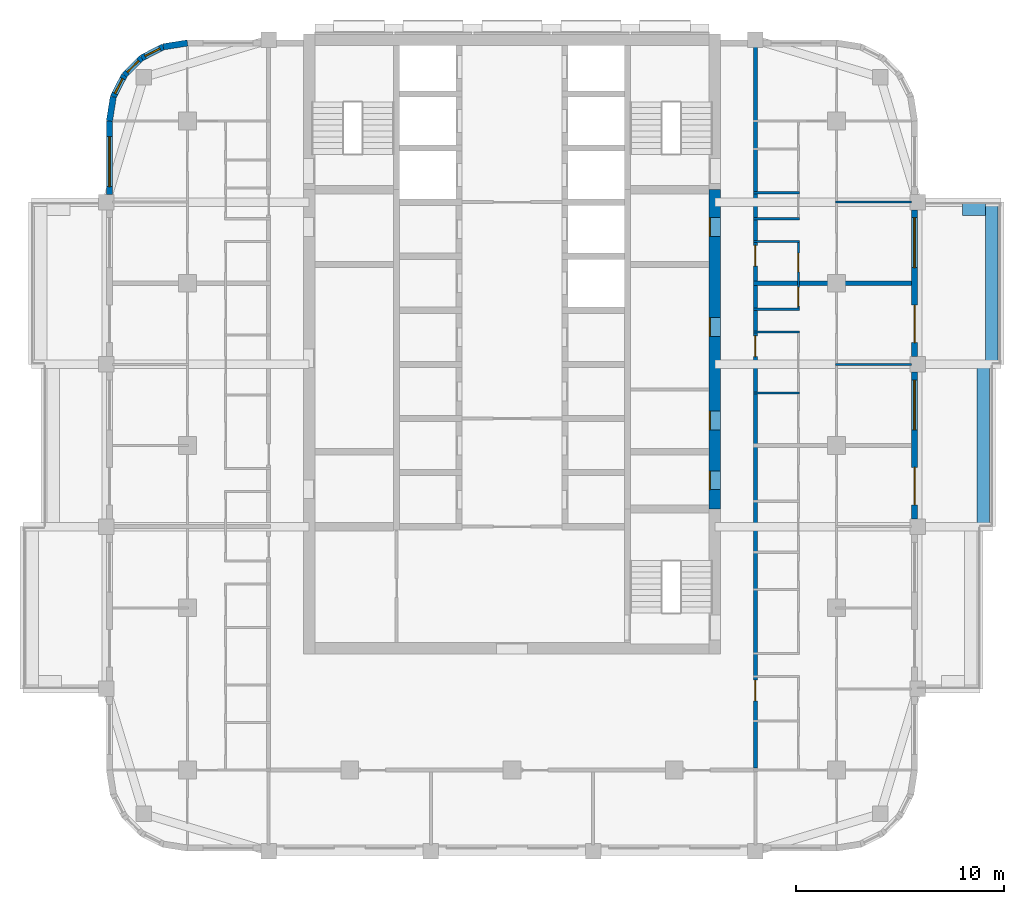
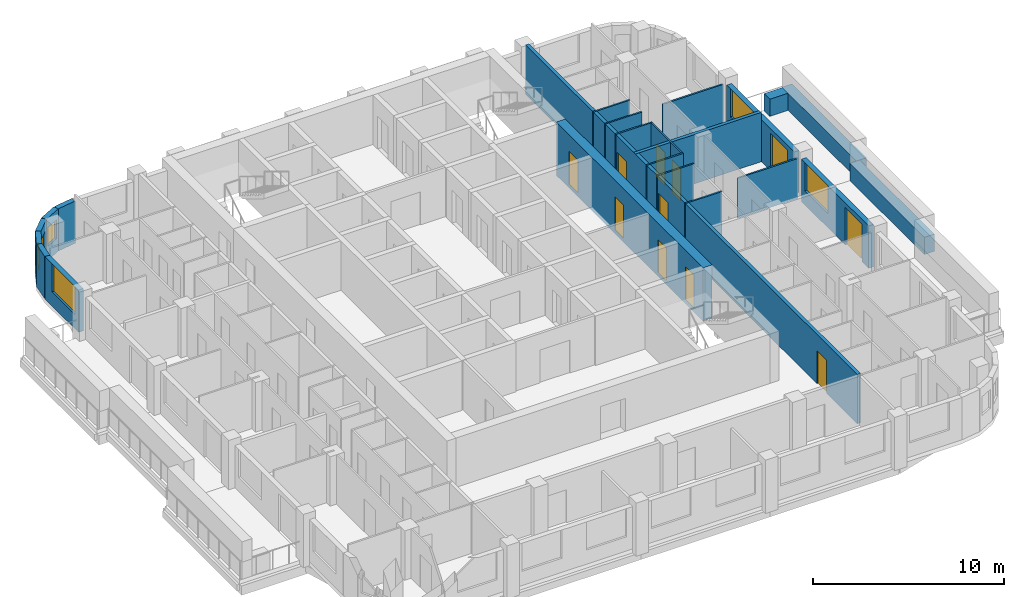
# One storey, part 7 of 13: 23 walls, 11 doors, 6 windows, 17 openings.
"""IFC4 building model written with IfcOpenShell, lengths in metres."""

from ifc_helpers import new_model, si_unit, direction, frame, frame_2d, origin, place, context, subcontext, project, spatial, rectangle, extrude, material, layer, layer_set, type_object, element, fill, save


model = new_model("IFC4")

# Units and contexts
model_context = context("Model", 3, precision=1e-05, world=origin(), true_north=direction((0.0, 1.0)))
body_context = subcontext(model_context, "Body", "Model", "MODEL_VIEW")
ifc_project = project(units=[si_unit("LENGTHUNIT", "METRE"), si_unit("AREAUNIT", "SQUARE_METRE"), si_unit("VOLUMEUNIT", "CUBIC_METRE"), si_unit("PLANEANGLEUNIT", "RADIAN"), si_unit("MASSUNIT", "GRAM", prefix="KILO")], contexts=[model_context])

# Site, building, storey
site_placement = place(None, origin())
site = spatial("IfcSite", under=ifc_project, at=site_placement, CompositionType="ELEMENT")
building_placement = place(site_placement, origin())
building = spatial("IfcBuilding", under=site, at=building_placement, Name="Ludao Terraces", CompositionType="ELEMENT")
storey_placement = place(building_placement, frame((0.0, 0.0, 155.39990234375)))
storey = spatial("IfcBuildingStorey", under=building, at=storey_placement, Name="L42", CompositionType="ELEMENT", Elevation=155.39990234375)

# Wall, openings, doors
ifc_material_1 = material(Name="Concrete C60", Category="concrete")
ifc_layer_1 = layer(ifc_material_1, 0.550048828125)
ifc_layer_set_1 = layer_set([ifc_layer_1], Name="Core wall 550 C60")
wall_type_1 = type_object("IfcWallType", Name="Core wall 550 C60", PredefinedType="SOLIDWALL", material=ifc_layer_set_1)
wall_1_placement = place(storey_placement, frame((94.75, 61.949951171875, -0.25), z_axis=(0.0, 0.0, 1.0), x_axis=(0.0, 1.0, 0.0)))
wall_1 = element("IfcWall", 1, at=wall_1_placement, inside=storey, type_object=wall_type_1, Name="Core wall L42 outer-E", PredefinedType="SOLIDWALL", context=body_context, shape_type="SweptSolid", body=[
    extrude(rectangle(XDim=15.35009765625, YDim=0.550048828125, at=frame_2d((7.675048828125, 0.0))), origin(), (0.0, 0.0, 1.0), 3.400146484375),
])
opening_1_placement = place(wall_1_placement, frame((0.925048828125, 0.0, 0.25)))
opening_1 = element("IfcOpeningElement", 2, at=opening_1_placement, cuts=wall_1, Name="Opening R14-036", PredefinedType="OPENING", context=body_context, shape_type="SweptSolid", body=[
    extrude(rectangle(XDim=0.89990234375, YDim=2.10009765625, at=frame_2d((0.449951171875, 1.050048828125))), frame((0.0, 0.28515625, 0.0), z_axis=(0.0, -1.0, 0.0), x_axis=(1.0, 0.0, 0.0)), (0.0, 0.0, 1.0), 0.570068359375),
])
opening_2_placement = place(wall_1_placement, frame((3.800048828125, 0.0, 0.25)))
opening_2 = element("IfcOpeningElement", 3, at=opening_2_placement, cuts=wall_1, Name="Opening R14-042", PredefinedType="OPENING", context=body_context, shape_type="SweptSolid", body=[
    extrude(rectangle(XDim=0.89990234375, YDim=2.10009765625, at=frame_2d((0.449951171875, 1.050048828125))), frame((0.0, 0.28515625, 0.0), z_axis=(0.0, -1.0, 0.0), x_axis=(1.0, 0.0, 0.0)), (0.0, 0.0, 1.0), 0.570068359375),
])
opening_3_placement = place(wall_1_placement, frame((8.300048828125, 0.0, 0.25)))
opening_3 = element("IfcOpeningElement", 4, at=opening_3_placement, cuts=wall_1, Name="Opening R14-055", PredefinedType="OPENING", context=body_context, shape_type="SweptSolid", body=[
    extrude(rectangle(XDim=0.89990234375, YDim=2.10009765625, at=frame_2d((0.449951171875, 1.050048828125))), frame((0.0, 0.28515625, 0.0), z_axis=(0.0, -1.0, 0.0), x_axis=(1.0, 0.0, 0.0)), (0.0, 0.0, 1.0), 0.570068359375),
])
opening_4_placement = place(wall_1_placement, frame((13.10009765625, 0.0, 0.25)))
opening_4 = element("IfcOpeningElement", 5, at=opening_4_placement, cuts=wall_1, Name="Opening R14-070", PredefinedType="OPENING", context=body_context, shape_type="SweptSolid", body=[
    extrude(rectangle(XDim=0.89990234375, YDim=2.10009765625, at=frame_2d((0.449951171875, 1.050048828125))), frame((0.0, 0.28515625, 0.0), z_axis=(0.0, -1.0, 0.0), x_axis=(1.0, 0.0, 0.0)), (0.0, 0.0, 1.0), 0.570068359375),
])
ifc_material_2 = material(Name="Steel Q235", Category="steel")
door_type_1 = type_object("IfcDoorType", Name="INT Riser door 900", OperationType="SINGLE_SWING_LEFT", PredefinedType="DOOR", material=ifc_material_2)
door_1_placement = place(opening_1_placement, origin())
door_1 = element("IfcDoor", 6, at=door_1_placement, inside=storey, type_object=door_type_1, Name="DOOR 036", OperationType="SINGLE_SWING_LEFT", OverallHeight=2.10009765625, OverallWidth=0.89990234375, PredefinedType="DOOR", context=body_context, shape_type="SweptSolid", body=[
    extrude(rectangle(XDim=0.89990234375, YDim=2.10009765625, at=frame_2d((0.449951171875, 1.050048828125))), frame((0.0, 0.26025390625, 0.0), z_axis=(0.0, -1.0, 0.0), x_axis=(1.0, 0.0, 0.0)), (0.0, 0.0, 1.0), 0.050048828125),
])
fill(opening_1, door_1)
door_2_placement = place(opening_4_placement, origin())
door_2 = element("IfcDoor", 7, at=door_2_placement, inside=storey, type_object=door_type_1, Name="DOOR 070", OperationType="SINGLE_SWING_RIGHT", OverallHeight=2.10009765625, OverallWidth=0.89990234375, PredefinedType="DOOR", context=body_context, shape_type="SweptSolid", body=[
    extrude(rectangle(XDim=0.89990234375, YDim=2.10009765625, at=frame_2d((0.449951171875, 1.050048828125))), frame((0.0, 0.26025390625, 0.0), z_axis=(0.0, -1.0, 0.0), x_axis=(1.0, 0.0, 0.0)), (0.0, 0.0, 1.0), 0.050048828125),
])
fill(opening_4, door_2)
ifc_material_3 = material(Name="Timber door leaf", Category="wood")
door_type_2 = type_object("IfcDoorType", Name="INT Room door 900", OperationType="SINGLE_SWING_LEFT", PredefinedType="DOOR", material=ifc_material_3)
door_3_placement = place(opening_2_placement, origin())
door_3 = element("IfcDoor", 8, at=door_3_placement, inside=storey, type_object=door_type_2, Name="DOOR 042", OperationType="SINGLE_SWING_LEFT", OverallHeight=2.10009765625, OverallWidth=0.89990234375, PredefinedType="DOOR", context=body_context, shape_type="SweptSolid", body=[
    extrude(rectangle(XDim=0.89990234375, YDim=2.10009765625, at=frame_2d((0.449951171875, 1.050048828125))), frame((0.0, 0.26025390625, 0.0), z_axis=(0.0, -1.0, 0.0), x_axis=(1.0, 0.0, 0.0)), (0.0, 0.0, 1.0), 0.050048828125),
])
fill(opening_2, door_3)
door_4_placement = place(opening_3_placement, origin())
door_4 = element("IfcDoor", 9, at=door_4_placement, inside=storey, type_object=door_type_2, Name="DOOR 055", OperationType="SINGLE_SWING_RIGHT", OverallHeight=2.10009765625, OverallWidth=0.89990234375, PredefinedType="DOOR", context=body_context, shape_type="SweptSolid", body=[
    extrude(rectangle(XDim=0.89990234375, YDim=2.10009765625, at=frame_2d((0.449951171875, 1.050048828125))), frame((0.0, 0.26025390625, 0.0), z_axis=(0.0, -1.0, 0.0), x_axis=(1.0, 0.0, 0.0)), (0.0, 0.0, 1.0), 0.050048828125),
])
fill(opening_3, door_4)

# Walls
ifc_material_4 = material(Name="Concrete C40", Category="concrete")
ifc_layer_2 = layer(ifc_material_4, 0.60009765625)
ifc_layer_set_2 = layer_set([ifc_layer_2], Name="ENV Planter trough 600")
wall_type_2 = type_object("IfcWallType", Name="ENV Planter trough 600", PredefinedType="USERDEFINED", material=ifc_layer_set_2)
wall_2_placement = place(storey_placement, frame((107.64990234375, 61.10009765625, 0.0), z_axis=(0.0, 0.0, 1.0), x_axis=(0.0, 1.0, 0.0)))
element("IfcWall", 10, at=wall_2_placement, inside=storey, type_object=wall_type_2, Name="PL-L42-E2", ObjectType="PLANTER", PredefinedType="USERDEFINED", context=body_context, shape_type="SweptSolid", body=[
    extrude(rectangle(XDim=7.7998046875, YDim=0.60009765625, at=frame_2d((3.89990234375, 0.0))), origin(), (0.0, 0.0, 1.0), 1.10009765625),
])
wall_3_placement = place(storey_placement, frame((108.050048828125, 68.89990234375, 0.0), z_axis=(0.0, 0.0, 1.0), x_axis=(0.0, 1.0, 0.0)))
element("IfcWall", 11, at=wall_3_placement, inside=storey, type_object=wall_type_2, Name="PL-L42-E3", ObjectType="PLANTER", PredefinedType="USERDEFINED", context=body_context, shape_type="SweptSolid", body=[
    extrude(rectangle(XDim=7.800048828125, YDim=0.60009765625, at=frame_2d((3.89990234375, 0.0))), origin(), (0.0, 0.0, 1.0), 1.10009765625),
])
wall_4_placement = place(storey_placement, frame((107.75, 76.35009765625, 0.0), z_axis=(0.0, 0.0, 1.0), x_axis=(-1.0, 0.0, 0.0)))
element("IfcWall", 12, at=wall_4_placement, inside=storey, type_object=wall_type_2, Name="PL-L42-E3-SB", ObjectType="PLANTER", PredefinedType="USERDEFINED", context=body_context, shape_type="SweptSolid", body=[
    extrude(rectangle(XDim=1.10009765625, YDim=0.60009765625, at=frame_2d((0.550048828125, 0.0))), origin(), (0.0, 0.0, 1.0), 1.10009765625),
])

# Wall, openings, door, window
ifc_material_5 = material(Name="Granite cladding", Category="masonry")
ifc_layer_3 = layer(ifc_material_5, 0.0400390625, Category="stone")
ifc_material_6 = material(Name="Mineral wool")
ifc_layer_4 = layer(ifc_material_6, 0.06005859375)
ifc_layer_5 = layer(ifc_material_4, 0.199951171875, Category="concrete")
ifc_layer_set_3 = layer_set([ifc_layer_3, ifc_layer_4, ifc_layer_5], Name="ENV Stone-clad wall 300")
wall_type_3 = type_object("IfcWallType", Name="ENV Stone-clad wall 300", PredefinedType="SOLIDWALL", material=ifc_layer_set_3)
wall_5_placement = place(storey_placement, frame((104.35009765625, 61.47509765625, 0.0), z_axis=(0.0, 0.0, 1.0), x_axis=(0.0, 1.0, 0.0)))
wall_5 = element("IfcWall", 13, at=wall_5_placement, inside=storey, type_object=wall_type_3, Name="EW-L42-E3", PredefinedType="SOLIDWALL", context=body_context, shape_type="SweptSolid", body=[
    extrude(rectangle(XDim=7.0498046875, YDim=0.300048828125, at=frame_2d((3.52490234375, 0.0))), origin(), (0.0, 0.0, 1.0), 2.7001953125),
])
opening_5_placement = place(wall_5_placement, frame((0.675048828125, 0.0, 0.0)))
opening_5 = element("IfcOpeningElement", 14, at=opening_5_placement, cuts=wall_5, Name="Opening BD", PredefinedType="OPENING", context=body_context, shape_type="SweptSolid", body=[
    extrude(rectangle(XDim=1.800048828125, YDim=2.39990234375, at=frame_2d((0.89990234375, 1.199951171875))), frame((0.0, 0.16015625, 0.0), z_axis=(0.0, -1.0, 0.0), x_axis=(1.0, 0.0, 0.0)), (0.0, 0.0, 1.0), 0.320068359375),
])
opening_6_placement = place(wall_5_placement, frame((4.27490234375, 0.0, 0.89990234375)))
opening_6 = element("IfcOpeningElement", 15, at=opening_6_placement, cuts=wall_5, Name="Opening W1", PredefinedType="OPENING", context=body_context, shape_type="SweptSolid", body=[
    extrude(rectangle(XDim=2.39990234375, YDim=1.800048828125, at=frame_2d((1.199951171875, 0.89990234375))), frame((0.0, 0.16015625, 0.0), z_axis=(0.0, -1.0, 0.0), x_axis=(1.0, 0.0, 0.0)), (0.0, 0.0, 1.0), 0.320068359375),
])
ifc_material_7 = material(Name="Aluminium glazed door", Category="aluminium")
ifc_layer_6 = layer(ifc_material_7, 0.06005859375)
ifc_layer_set_4 = layer_set([ifc_layer_6], Name="ENV Balcony door BD 1800x2400")
door_type_3 = type_object("IfcDoorType", Name="ENV Balcony door BD 1800x2400", OperationType="DOUBLE_DOOR_SINGLE_SWING", PredefinedType="DOOR", material=ifc_layer_set_4)
door_5_placement = place(opening_5_placement, origin())
door_5 = element("IfcDoor", 16, at=door_5_placement, inside=storey, type_object=door_type_3, Name="BD-L42-E3-1", OperationType="DOUBLE_DOOR_SINGLE_SWING", OverallHeight=2.39990234375, OverallWidth=1.800048828125, PredefinedType="DOOR", context=body_context, shape_type="SweptSolid", body=[
    extrude(rectangle(XDim=1.800048828125, YDim=2.39990234375, at=frame_2d((0.89990234375, 1.199951171875))), frame((0.0, 0.02490234375, 0.0), z_axis=(0.0, -1.0, 0.0), x_axis=(1.0, 0.0, 0.0)), (0.0, 0.0, 1.0), 0.050048828125),
])
fill(opening_5, door_5)
ifc_material_8 = material(Name="Clear glass in aluminium frame", Category="aluminium")
ifc_layer_7 = layer(ifc_material_8, 0.06005859375)
ifc_layer_set_5 = layer_set([ifc_layer_7], Name="ENV Window W1 2400x1800")
window_type_1 = type_object("IfcWindowType", Name="ENV Window W1 2400x1800", PartitioningType="DOUBLE_PANEL_VERTICAL", PredefinedType="WINDOW", material=ifc_layer_set_5)
window_1_placement = place(opening_6_placement, origin())
window_1 = element("IfcWindow", 17, at=window_1_placement, inside=storey, type_object=window_type_1, Name="W-L42-E3-2", OverallHeight=1.800048828125, OverallWidth=2.39990234375, PartitioningType="DOUBLE_PANEL_VERTICAL", PredefinedType="WINDOW", context=body_context, shape_type="SweptSolid", body=[
    extrude(rectangle(XDim=2.39990234375, YDim=1.800048828125, at=frame_2d((1.199951171875, 0.89990234375))), frame((0.0, 0.030029296875, 0.0), z_axis=(0.0, -1.0, 0.0), x_axis=(1.0, 0.0, 0.0)), (0.0, 0.0, 1.0), 0.06005859375),
])
fill(opening_6, window_1)

wall_6_placement = place(storey_placement, frame((104.35009765625, 69.27490234375, 0.0), z_axis=(0.0, 0.0, 1.0), x_axis=(0.0, 1.0, 0.0)))
wall_6 = element("IfcWall", 18, at=wall_6_placement, inside=storey, type_object=wall_type_3, Name="EW-L42-E4", PredefinedType="SOLIDWALL", context=body_context, shape_type="SweptSolid", body=[
    extrude(rectangle(XDim=7.050048828125, YDim=0.300048828125, at=frame_2d((3.52490234375, 0.0))), origin(), (0.0, 0.0, 1.0), 2.7001953125),
])
opening_7_placement = place(wall_6_placement, frame((0.675048828125, 0.0, 0.0)))
opening_7 = element("IfcOpeningElement", 19, at=opening_7_placement, cuts=wall_6, Name="Opening BD", PredefinedType="OPENING", context=body_context, shape_type="SweptSolid", body=[
    extrude(rectangle(XDim=1.800048828125, YDim=2.39990234375, at=frame_2d((0.89990234375, 1.199951171875))), frame((0.0, 0.16015625, 0.0), z_axis=(0.0, -1.0, 0.0), x_axis=(1.0, 0.0, 0.0)), (0.0, 0.0, 1.0), 0.320068359375),
])
opening_8_placement = place(wall_6_placement, frame((4.27490234375, 0.0, 0.89990234375)))
opening_8 = element("IfcOpeningElement", 20, at=opening_8_placement, cuts=wall_6, Name="Opening W1", PredefinedType="OPENING", context=body_context, shape_type="SweptSolid", body=[
    extrude(rectangle(XDim=2.39990234375, YDim=1.800048828125, at=frame_2d((1.199951171875, 0.89990234375))), frame((0.0, 0.16015625, 0.0), z_axis=(0.0, -1.0, 0.0), x_axis=(1.0, 0.0, 0.0)), (0.0, 0.0, 1.0), 0.320068359375),
])
door_6_placement = place(opening_7_placement, origin())
door_6 = element("IfcDoor", 21, at=door_6_placement, inside=storey, type_object=door_type_3, Name="BD-L42-E4-1", OperationType="DOUBLE_DOOR_SINGLE_SWING", OverallHeight=2.39990234375, OverallWidth=1.800048828125, PredefinedType="DOOR", context=body_context, shape_type="SweptSolid", body=[
    extrude(rectangle(XDim=1.800048828125, YDim=2.39990234375, at=frame_2d((0.89990234375, 1.199951171875))), frame((0.0, 0.02490234375, 0.0), z_axis=(0.0, -1.0, 0.0), x_axis=(1.0, 0.0, 0.0)), (0.0, 0.0, 1.0), 0.050048828125),
])
fill(opening_7, door_6)
window_2_placement = place(opening_8_placement, origin())
window_2 = element("IfcWindow", 22, at=window_2_placement, inside=storey, type_object=window_type_1, Name="W-L42-E4-2", OverallHeight=1.800048828125, OverallWidth=2.39990234375, PartitioningType="DOUBLE_PANEL_VERTICAL", PredefinedType="WINDOW", context=body_context, shape_type="SweptSolid", body=[
    extrude(rectangle(XDim=2.39990234375, YDim=1.800048828125, at=frame_2d((1.199951171875, 0.89990234375))), frame((0.0, 0.030029296875, 0.0), z_axis=(0.0, -1.0, 0.0), x_axis=(1.0, 0.0, 0.0)), (0.0, 0.0, 1.0), 0.06005859375),
])
fill(opening_8, window_2)

# Wall, opening, window
wall_7_placement = place(storey_placement, frame((65.64990234375, 77.074951171875, 0.0), z_axis=(0.0, 0.0, 1.0), x_axis=(0.0, 1.0, 0.0)))
wall_7 = element("IfcWall", 23, at=wall_7_placement, inside=storey, type_object=wall_type_3, Name="EW-L42-W5", PredefinedType="SOLIDWALL", context=body_context, shape_type="SweptSolid", body=[
    extrude(rectangle(XDim=3.525146484375, YDim=0.300048828125, at=frame_2d((1.7626953125, 0.0))), origin(), (0.0, 0.0, 1.0), 2.7001953125),
])
opening_9_placement = place(wall_7_placement, frame((0.375, 0.0, 0.89990234375)))
opening_9 = element("IfcOpeningElement", 24, at=opening_9_placement, cuts=wall_7, Name="Opening W1", PredefinedType="OPENING", context=body_context, shape_type="SweptSolid", body=[
    extrude(rectangle(XDim=2.39990234375, YDim=1.800048828125, at=frame_2d((1.199951171875, 0.89990234375))), frame((0.0, 0.16015625, 0.0), z_axis=(0.0, -1.0, 0.0), x_axis=(1.0, 0.0, 0.0)), (0.0, 0.0, 1.0), 0.320068359375),
])
window_3_placement = place(opening_9_placement, origin())
window_3 = element("IfcWindow", 25, at=window_3_placement, inside=storey, type_object=window_type_1, Name="W-L42-W5-1", OverallHeight=1.800048828125, OverallWidth=2.39990234375, PartitioningType="DOUBLE_PANEL_VERTICAL", PredefinedType="WINDOW", context=body_context, shape_type="SweptSolid", body=[
    extrude(rectangle(XDim=2.39990234375, YDim=1.800048828125, at=frame_2d((1.199951171875, 0.89990234375))), frame((0.0, 0.030029296875, 0.0), z_axis=(0.0, -1.0, 0.0), x_axis=(1.0, 0.0, 0.0)), (0.0, 0.0, 1.0), 0.06005859375),
])
fill(opening_9, window_3)

# Wall
wall_8_placement = place(storey_placement, frame((69.39990234375, 84.35009765625, 0.0), z_axis=(0.0, 0.0, 1.0), x_axis=(-0.987678452879, -0.156496880861, 0.0)))
element("IfcWall", 26, at=wall_8_placement, inside=storey, type_object=wall_type_3, Name="EW-L42-NW1", PredefinedType="SOLIDWALL", context=body_context, shape_type="SweptSolid", body=[
    extrude(rectangle(XDim=1.173095703125, YDim=0.300048828125, at=frame_2d((0.58642578125, 0.0))), origin(), (0.0, 0.0, 1.0), 2.7001953125),
])

# Wall, opening, window
wall_9_placement = place(storey_placement, frame((68.2412109375, 84.16650390625, 0.0), z_axis=(0.0, 0.0, 1.0), x_axis=(-0.890988677504, -0.454025524128, 0.0)))
wall_9 = element("IfcWall", 27, at=wall_9_placement, inside=storey, type_object=wall_type_3, Name="EW-L42-NW2", PredefinedType="SOLIDWALL", context=body_context, shape_type="SweptSolid", body=[
    extrude(rectangle(XDim=1.17333984375, YDim=0.300048828125, at=frame_2d((0.586669921875, 0.0))), origin(), (0.0, 0.0, 1.0), 2.7001953125),
])
opening_10_placement = place(wall_9_placement, frame((0.1865234375, 0.0, 0.89990234375)))
opening_10 = element("IfcOpeningElement", 28, at=opening_10_placement, cuts=wall_9, Name="Opening W3", PredefinedType="OPENING", context=body_context, shape_type="SweptSolid", body=[
    extrude(rectangle(XDim=0.800048828125, YDim=1.199951171875, at=frame_2d((0.39990234375, 0.60009765625))), frame((0.0, 0.16015625, 0.0), z_axis=(0.0, -1.0, 0.0), x_axis=(1.0, 0.0, 0.0)), (0.0, 0.0, 1.0), 0.320068359375),
])
ifc_layer_8 = layer(ifc_material_8, 0.06005859375)
ifc_layer_set_6 = layer_set([ifc_layer_8], Name="ENV Window W3 800x1200")
window_type_2 = type_object("IfcWindowType", Name="ENV Window W3 800x1200", PartitioningType="SINGLE_PANEL", PredefinedType="WINDOW", material=ifc_layer_set_6)
window_4_placement = place(opening_10_placement, origin())
window_4 = element("IfcWindow", 29, at=window_4_placement, inside=storey, type_object=window_type_2, Name="W-L42-NW2", OverallHeight=1.199951171875, OverallWidth=0.800048828125, PartitioningType="SINGLE_PANEL", PredefinedType="WINDOW", context=body_context, shape_type="SweptSolid", body=[
    extrude(rectangle(XDim=0.800048828125, YDim=1.199951171875, at=frame_2d((0.39990234375, 0.60009765625))), frame((0.0, 0.030029296875, 0.0), z_axis=(0.0, -1.0, 0.0), x_axis=(1.0, 0.0, 0.0)), (0.0, 0.0, 1.0), 0.06005859375),
])
fill(opening_10, window_4)

wall_10_placement = place(storey_placement, frame((67.19580078125, 83.6337890625, 0.0), z_axis=(0.0, 0.0, 1.0), x_axis=(-0.707106781187, -0.707106781187, 0.0)))
wall_10 = element("IfcWall", 30, at=wall_10_placement, inside=storey, type_object=wall_type_3, Name="EW-L42-NW3", PredefinedType="SOLIDWALL", context=body_context, shape_type="SweptSolid", body=[
    extrude(rectangle(XDim=1.173095703125, YDim=0.300048828125, at=frame_2d((0.58642578125, 0.0))), origin(), (0.0, 0.0, 1.0), 2.7001953125),
])
opening_11_placement = place(wall_10_placement, frame((0.1865234375, 0.0, 0.89990234375)))
opening_11 = element("IfcOpeningElement", 31, at=opening_11_placement, cuts=wall_10, Name="Opening W3", PredefinedType="OPENING", context=body_context, shape_type="SweptSolid", body=[
    extrude(rectangle(XDim=0.800048828125, YDim=1.199951171875, at=frame_2d((0.39990234375, 0.60009765625))), frame((0.0, 0.16015625, 0.0), z_axis=(0.0, -1.0, 0.0), x_axis=(1.0, 0.0, 0.0)), (0.0, 0.0, 1.0), 0.320068359375),
])
window_5_placement = place(opening_11_placement, origin())
window_5 = element("IfcWindow", 32, at=window_5_placement, inside=storey, type_object=window_type_2, Name="W-L42-NW3", OverallHeight=1.199951171875, OverallWidth=0.800048828125, PartitioningType="SINGLE_PANEL", PredefinedType="WINDOW", context=body_context, shape_type="SweptSolid", body=[
    extrude(rectangle(XDim=0.800048828125, YDim=1.199951171875, at=frame_2d((0.39990234375, 0.60009765625))), frame((0.0, 0.030029296875, 0.0), z_axis=(0.0, -1.0, 0.0), x_axis=(1.0, 0.0, 0.0)), (0.0, 0.0, 1.0), 0.06005859375),
])
fill(opening_11, window_5)

wall_11_placement = place(storey_placement, frame((66.3662109375, 82.80419921875, 0.0), z_axis=(0.0, 0.0, 1.0), x_axis=(-0.454025524128, -0.890988677504, 0.0)))
wall_11 = element("IfcWall", 33, at=wall_11_placement, inside=storey, type_object=wall_type_3, Name="EW-L42-NW4", PredefinedType="SOLIDWALL", context=body_context, shape_type="SweptSolid", body=[
    extrude(rectangle(XDim=1.17333984375, YDim=0.300048828125, at=frame_2d((0.586669921875, 0.0))), origin(), (0.0, 0.0, 1.0), 2.7001953125),
])
opening_12_placement = place(wall_11_placement, frame((0.1865234375, 0.0, 0.89990234375)))
opening_12 = element("IfcOpeningElement", 34, at=opening_12_placement, cuts=wall_11, Name="Opening W3", PredefinedType="OPENING", context=body_context, shape_type="SweptSolid", body=[
    extrude(rectangle(XDim=0.800048828125, YDim=1.199951171875, at=frame_2d((0.39990234375, 0.60009765625))), frame((0.0, 0.16015625, 0.0), z_axis=(0.0, -1.0, 0.0), x_axis=(1.0, 0.0, 0.0)), (0.0, 0.0, 1.0), 0.320068359375),
])
window_6_placement = place(opening_12_placement, origin())
window_6 = element("IfcWindow", 35, at=window_6_placement, inside=storey, type_object=window_type_2, Name="W-L42-NW4", OverallHeight=1.199951171875, OverallWidth=0.800048828125, PartitioningType="SINGLE_PANEL", PredefinedType="WINDOW", context=body_context, shape_type="SweptSolid", body=[
    extrude(rectangle(XDim=0.800048828125, YDim=1.199951171875, at=frame_2d((0.39990234375, 0.60009765625))), frame((0.0, 0.030029296875, 0.0), z_axis=(0.0, -1.0, 0.0), x_axis=(1.0, 0.0, 0.0)), (0.0, 0.0, 1.0), 0.06005859375),
])
fill(opening_12, window_6)

# Wall
wall_12_placement = place(storey_placement, frame((65.83349609375, 81.7587890625, 0.0), z_axis=(0.0, 0.0, 1.0), x_axis=(-0.156496880861, -0.987678452879, 0.0)))
element("IfcWall", 36, at=wall_12_placement, inside=storey, type_object=wall_type_3, Name="EW-L42-NW5", PredefinedType="SOLIDWALL", context=body_context, shape_type="SweptSolid", body=[
    extrude(rectangle(XDim=1.173095703125, YDim=0.300048828125, at=frame_2d((0.58642578125, 0.0))), origin(), (0.0, 0.0, 1.0), 2.7001953125),
])

# Wall, openings, doors
ifc_material_9 = material(Name="Autoclaved aerated concrete block B06 A3.5", Category="concrete")
ifc_layer_9 = layer(ifc_material_9, 0.199951171875)
ifc_layer_set_7 = layer_set([ifc_layer_9], Name="INT Entrance wall 200")
wall_type_4 = type_object("IfcWallType", Name="INT Entrance wall 200", PredefinedType="PARTITIONING", material=ifc_layer_set_7)
wall_13_placement = place(storey_placement, frame((96.699951171875, 49.5, 0.0), z_axis=(0.0, 0.0, 1.0), x_axis=(0.0, 1.0, 0.0)))
wall_13 = element("IfcWall", 37, at=wall_13_placement, inside=storey, type_object=wall_type_4, Name="PW-L42-PW059", PredefinedType="PARTITIONING", context=body_context, shape_type="SweptSolid", body=[
    extrude(rectangle(XDim=34.7001953125, YDim=0.199951171875, at=frame_2d((17.35009765625, 0.0))), origin(), (0.0, 0.0, 1.0), 3.150146484375),
])
opening_13_placement = place(wall_13_placement, frame((3.22509765625, 0.0, 0.0)))
opening_13 = element("IfcOpeningElement", 38, at=opening_13_placement, cuts=wall_13, Name="Opening R14-013", PredefinedType="OPENING", context=body_context, shape_type="SweptSolid", body=[
    extrude(rectangle(XDim=1.0, YDim=2.10009765625, at=frame_2d((0.5, 1.050048828125))), frame((0.0, 0.10986328125, 0.0), z_axis=(0.0, -1.0, 0.0), x_axis=(1.0, 0.0, 0.0)), (0.0, 0.0, 1.0), 0.219970703125),
])
opening_14_placement = place(wall_13_placement, frame((19.775146484375, 0.0, 0.0)))
opening_14 = element("IfcOpeningElement", 39, at=opening_14_placement, cuts=wall_13, Name="Opening R14-052", PredefinedType="OPENING", context=body_context, shape_type="SweptSolid", body=[
    extrude(rectangle(XDim=1.0, YDim=2.10009765625, at=frame_2d((0.5, 1.050048828125))), frame((0.0, 0.10986328125, 0.0), z_axis=(0.0, -1.0, 0.0), x_axis=(1.0, 0.0, 0.0)), (0.0, 0.0, 1.0), 0.219970703125),
])
opening_15_placement = place(wall_13_placement, frame((24.125, 0.0, 0.0)))
opening_15 = element("IfcOpeningElement", 40, at=opening_15_placement, cuts=wall_13, Name="Opening R14-064", PredefinedType="OPENING", context=body_context, shape_type="SweptSolid", body=[
    extrude(rectangle(XDim=1.0, YDim=2.10009765625, at=frame_2d((0.5, 1.050048828125))), frame((0.0, 0.10986328125, 0.0), z_axis=(0.0, -1.0, 0.0), x_axis=(1.0, 0.0, 0.0)), (0.0, 0.0, 1.0), 0.219970703125),
])
door_type_4 = type_object("IfcDoorType", Name="INT Flat entrance door 1000", OperationType="SINGLE_SWING_LEFT", PredefinedType="DOOR", material=ifc_material_2)
door_7_placement = place(opening_13_placement, origin())
door_7 = element("IfcDoor", 41, at=door_7_placement, inside=storey, type_object=door_type_4, Name="DOOR 013", OperationType="SINGLE_SWING_RIGHT", OverallHeight=2.10009765625, OverallWidth=1.0, PredefinedType="DOOR", context=body_context, shape_type="SweptSolid", body=[
    extrude(rectangle(XDim=1.0, YDim=2.10009765625, at=frame_2d((0.5, 1.050048828125))), frame((0.0, 0.02490234375, 0.0), z_axis=(0.0, -1.0, 0.0), x_axis=(1.0, 0.0, 0.0)), (0.0, 0.0, 1.0), 0.050048828125),
])
fill(opening_13, door_7)
door_8_placement = place(opening_14_placement, origin())
door_8 = element("IfcDoor", 42, at=door_8_placement, inside=storey, type_object=door_type_4, Name="DOOR 052", OperationType="SINGLE_SWING_RIGHT", OverallHeight=2.10009765625, OverallWidth=1.0, PredefinedType="DOOR", context=body_context, shape_type="SweptSolid", body=[
    extrude(rectangle(XDim=1.0, YDim=2.10009765625, at=frame_2d((0.5, 1.050048828125))), frame((0.0, 0.02490234375, 0.0), z_axis=(0.0, -1.0, 0.0), x_axis=(1.0, 0.0, 0.0)), (0.0, 0.0, 1.0), 0.050048828125),
])
fill(opening_14, door_8)
door_9_placement = place(opening_15_placement, origin())
door_9 = element("IfcDoor", 43, at=door_9_placement, inside=storey, type_object=door_type_4, Name="DOOR 064", OperationType="SINGLE_SWING_RIGHT", OverallHeight=2.10009765625, OverallWidth=1.0, PredefinedType="DOOR", context=body_context, shape_type="SweptSolid", body=[
    extrude(rectangle(XDim=1.0, YDim=2.10009765625, at=frame_2d((0.5, 1.050048828125))), frame((0.0, 0.02490234375, 0.0), z_axis=(0.0, -1.0, 0.0), x_axis=(1.0, 0.0, 0.0)), (0.0, 0.0, 1.0), 0.050048828125),
])
fill(opening_15, door_9)

# Walls
ifc_material_10 = material(Name="Gypsum plasterboard", Category="gypsum")
ifc_layer_10 = layer(ifc_material_10, 0.012451171875, Category="gypsum")
ifc_layer_11 = layer(ifc_material_6, 0.06005859375, Name="insulation")
ifc_layer_12 = layer(ifc_material_2, 0.014892578125, Name="stud")
ifc_layer_13 = layer(ifc_material_10, 0.012451171875, Category="gypsum")
ifc_layer_set_8 = layer_set([ifc_layer_10, ifc_layer_11, ifc_layer_12, ifc_layer_13], Name="INT Partition 100")
wall_type_5 = type_object("IfcWallType", Name="INT Partition 100", PredefinedType="PARTITIONING", material=ifc_layer_set_8)
wall_14_placement = place(storey_placement, frame((96.60009765625, 67.530029296875, 0.0), z_axis=(0.0, 0.0, 1.0), x_axis=(1.0, 0.0, 0.0)))
element("IfcWall", 44, at=wall_14_placement, inside=storey, type_object=wall_type_5, Name="PW-L42-PW026", PredefinedType="PARTITIONING", context=body_context, shape_type="SweptSolid", body=[
    extrude(rectangle(XDim=2.219970703125, YDim=0.10009765625, at=frame_2d((1.10986328125, 0.0))), origin(), (0.0, 0.0, 1.0), 3.150146484375),
])
wall_15_placement = place(storey_placement, frame((100.550048828125, 68.89990234375, 0.0), z_axis=(0.0, 0.0, 1.0), x_axis=(1.0, 0.0, 0.0)))
element("IfcWall", 45, at=wall_15_placement, inside=storey, type_object=wall_type_5, Name="PW-L42-PW029", PredefinedType="PARTITIONING", context=body_context, shape_type="SweptSolid", body=[
    extrude(rectangle(XDim=3.650146484375, YDim=0.10009765625, at=frame_2d((1.8251953125, 0.0))), origin(), (0.0, 0.0, 1.0), 2.550048828125),
])
for number, where, z_axis, x_axis, name in (
    (46, (96.60009765625, 70.449951171875, 0.0), (0.0, 0.0, 1.0), (1.0, 0.0, 0.0), "PW-L42-PW031"),
    (47, (96.60009765625, 71.550048828125, 0.0), (0.0, 0.0, 1.0), (1.0, 0.0, 0.0), "PW-L42-PW032"),
    (48, (96.60009765625, 74.800048828125, 0.0), (0.0, 0.0, 1.0), (1.0, 0.0, 0.0), "PW-L42-PW036"),
    (49, (96.60009765625, 75.89990234375, 0.0), (0.0, 0.0, 1.0), (1.0, 0.0, 0.0), "PW-L42-PW038"),
):
    element("IfcWall", number, at=place(storey_placement, frame(where, z_axis=z_axis, x_axis=x_axis)), inside=storey, type_object=wall_type_5, Name=name, PredefinedType="PARTITIONING", context=body_context, shape_type="SweptSolid", body=[
        extrude(rectangle(XDim=2.219970703125, YDim=0.10009765625, at=frame_2d((1.10986328125, 0.0))), origin(), (0.0, 0.0, 1.0), 3.150146484375),
    ])
wall_16_placement = place(storey_placement, frame((100.550048828125, 76.699951171875, 0.0), z_axis=(0.0, 0.0, 1.0), x_axis=(1.0, 0.0, 0.0)))
element("IfcWall", 50, at=wall_16_placement, inside=storey, type_object=wall_type_5, Name="PW-L42-PW041", PredefinedType="PARTITIONING", context=body_context, shape_type="SweptSolid", body=[
    extrude(rectangle(XDim=3.650146484375, YDim=0.10009765625, at=frame_2d((1.8251953125, 0.0))), origin(), (0.0, 0.0, 1.0), 2.550048828125),
])
wall_17_placement = place(storey_placement, frame((96.60009765625, 77.14990234375, 0.0), z_axis=(0.0, 0.0, 1.0), x_axis=(1.0, 0.0, 0.0)))
element("IfcWall", 51, at=wall_17_placement, inside=storey, type_object=wall_type_5, Name="PW-L42-PW042", PredefinedType="PARTITIONING", context=body_context, shape_type="SweptSolid", body=[
    extrude(rectangle(XDim=2.219970703125, YDim=0.10009765625, at=frame_2d((1.10986328125, 0.0))), origin(), (0.0, 0.0, 1.0), 3.150146484375),
])

# Wall, openings, doors
wall_18_placement = place(storey_placement, frame((98.77001953125, 71.60009765625, 0.0), z_axis=(0.0, 0.0, 1.0), x_axis=(0.0, 1.0, 0.0)))
wall_18 = element("IfcWall", 52, at=wall_18_placement, inside=storey, type_object=wall_type_5, Name="PW-L42-PW062", PredefinedType="PARTITIONING", context=body_context, shape_type="SweptSolid", body=[
    extrude(rectangle(XDim=3.14990234375, YDim=0.10009765625, at=frame_2d((1.574951171875, 0.0))), origin(), (0.0, 0.0, 1.0), 3.150146484375),
])
opening_16_placement = place(wall_18_placement, frame((0.10009765625, 0.0, 0.0)))
opening_16 = element("IfcOpeningElement", 53, at=opening_16_placement, cuts=wall_18, Name="Opening R14-059", PredefinedType="OPENING", context=body_context, shape_type="SweptSolid", body=[
    extrude(rectangle(XDim=0.89990234375, YDim=2.10009765625, at=frame_2d((0.449951171875, 1.050048828125))), frame((0.0, 0.06005859375, 0.0), z_axis=(0.0, -1.0, 0.0), x_axis=(1.0, 0.0, 0.0)), (0.0, 0.0, 1.0), 0.1201171875),
])
opening_17_placement = place(wall_18_placement, frame((1.75, 0.0, 0.0)))
opening_17 = element("IfcOpeningElement", 54, at=opening_17_placement, cuts=wall_18, Name="Opening R14-063", PredefinedType="OPENING", context=body_context, shape_type="SweptSolid", body=[
    extrude(rectangle(XDim=0.89990234375, YDim=2.10009765625, at=frame_2d((0.449951171875, 1.050048828125))), frame((0.0, 0.06005859375, 0.0), z_axis=(0.0, -1.0, 0.0), x_axis=(1.0, 0.0, 0.0)), (0.0, 0.0, 1.0), 0.1201171875),
])
door_type_5 = type_object("IfcDoorType", Name="INT Bathroom door 900", OperationType="SINGLE_SWING_LEFT", PredefinedType="DOOR", material=ifc_material_3)
door_10_placement = place(opening_16_placement, origin())
door_10 = element("IfcDoor", 55, at=door_10_placement, inside=storey, type_object=door_type_5, Name="DOOR 059", OperationType="SINGLE_SWING_LEFT", OverallHeight=2.10009765625, OverallWidth=0.89990234375, PredefinedType="DOOR", context=body_context, shape_type="SweptSolid", body=[
    extrude(rectangle(XDim=0.89990234375, YDim=2.10009765625, at=frame_2d((0.449951171875, 1.050048828125))), frame((0.0, 0.02490234375, 0.0), z_axis=(0.0, -1.0, 0.0), x_axis=(1.0, 0.0, 0.0)), (0.0, 0.0, 1.0), 0.050048828125),
])
fill(opening_16, door_10)
door_11_placement = place(opening_17_placement, origin())
door_11 = element("IfcDoor", 56, at=door_11_placement, inside=storey, type_object=door_type_5, Name="DOOR 063", OperationType="SINGLE_SWING_LEFT", OverallHeight=2.10009765625, OverallWidth=0.89990234375, PredefinedType="DOOR", context=body_context, shape_type="SweptSolid", body=[
    extrude(rectangle(XDim=0.89990234375, YDim=2.10009765625, at=frame_2d((0.449951171875, 1.050048828125))), frame((0.0, 0.02490234375, 0.0), z_axis=(0.0, -1.0, 0.0), x_axis=(1.0, 0.0, 0.0)), (0.0, 0.0, 1.0), 0.050048828125),
])
fill(opening_17, door_11)

# Wall
ifc_layer_14 = layer(ifc_material_9, 0.199951171875)
ifc_layer_set_9 = layer_set([ifc_layer_14], Name="INT Party wall 200")
wall_type_6 = type_object("IfcWallType", Name="INT Party wall 200", PredefinedType="PARTITIONING", material=ifc_layer_set_9)
wall_19_placement = place(storey_placement, frame((96.60009765625, 72.800048828125, 0.0), z_axis=(0.0, 0.0, 1.0), x_axis=(1.0, 0.0, 0.0)))
element("IfcWall", 57, at=wall_19_placement, inside=storey, type_object=wall_type_6, Name="PW-L42-PW034", PredefinedType="PARTITIONING", context=body_context, shape_type="SweptSolid", body=[
    extrude(rectangle(XDim=7.60009765625, YDim=0.199951171875, at=frame_2d((3.800048828125, 0.0))), origin(), (0.0, 0.0, 1.0), 3.150146484375),
])

save(model, "model.ifc")
